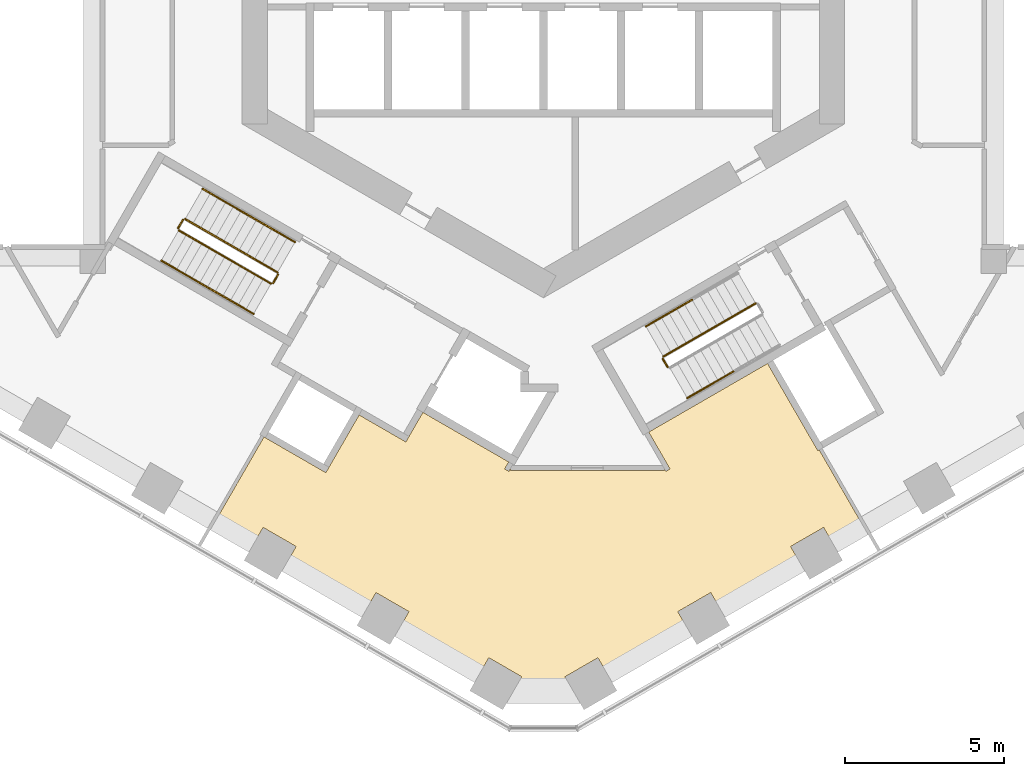
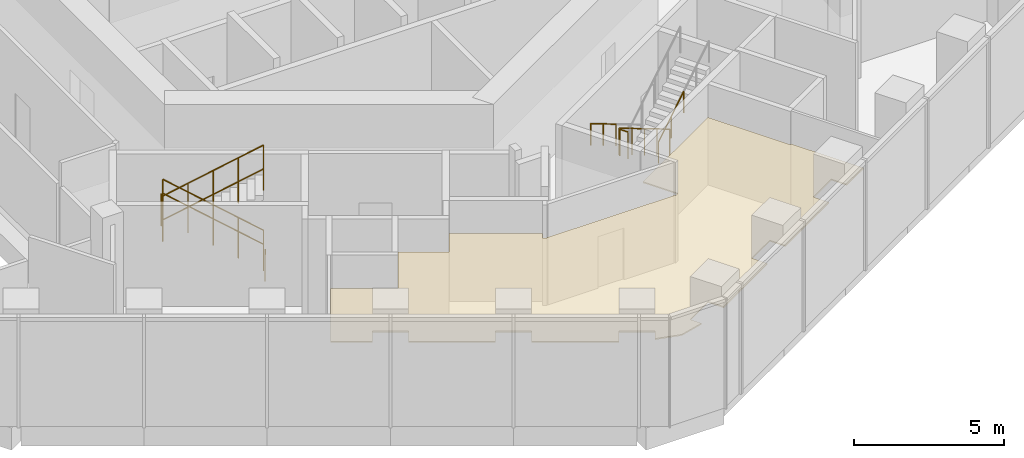
# One storey, part 13 of 14: 12 railings, 1 covering.
"""IFC4 building model written with IfcOpenShell, lengths in metres."""

import ifcopenshell
import ifcopenshell.guid

model = None  # the IFC model being written
_history = None  # IfcOwnerHistory: only IFC2X3 demands one
_inside = {}  # id of a spatial element -> (the spatial element, [elements in it])
_under = {}  # id of a project, library or spatial element -> (it, [spatial elements below it])
_declared = {}  # id of a project -> (the project, [libraries it declares])
_typed = {}  # id of a type object -> (the type object, [elements of that type])
_made_of = {}  # id of a material, layer set ... -> (it, [elements and type objects made of it])


def new_model(schema):
    """Start an empty IFC model of exactly this schema.

    Asked for "IFC4X3", IfcOpenShell would pick the latest addendum, in which some entities
    have other attributes; the version numbers below select the first issue.
    IFC2X3 requires an IfcOwnerHistory on every rooted entity: one is made here for all.
    """
    global model, _history
    if schema == "IFC4X3":
        model = ifcopenshell.file(schema_version=(4, 3, 0, 0))
    else:
        model = ifcopenshell.file(schema=schema)
    _inside.clear()
    _under.clear()
    _declared.clear()
    _typed.clear()
    _made_of.clear()
    _history = None
    if model.schema == "IFC2X3":
        org = make("IfcOrganization", Name="unknown")
        user = make(
            "IfcPersonAndOrganization",
            ThePerson=make("IfcPerson", FamilyName="unknown"),
            TheOrganization=org,
        )
        app = make(
            "IfcApplication",
            ApplicationDeveloper=org,
            Version="unknown",
            ApplicationFullName="unknown",
            ApplicationIdentifier="unknown",
        )
        _history = make(
            "IfcOwnerHistory",
            OwningUser=user,
            OwningApplication=app,
            ChangeAction="ADDED",
            CreationDate=0,
        )
    return model


def make(cls, **values):
    """One entity of the class cls with the attributes given. An attribute that is None is left unset."""
    return model.create_entity(
        cls, **{name: value for name, value in values.items() if value is not None}
    )


def rooted(cls, **values):
    """An entity with a GlobalId (a new one), such as an element, a storey or a relation."""
    return make(cls, GlobalId=ifcopenshell.guid.new(), OwnerHistory=_history, **values)


def si_unit(unit_type, name, prefix=None):
    """IfcSIUnit, for example si_unit("LENGTHUNIT", "METRE", prefix="MILLI")."""
    return make("IfcSIUnit", UnitType=unit_type, Prefix=prefix, Name=name)


def assignment(units):
    """IfcUnitAssignment: the units of a project."""
    return None if units is None else make("IfcUnitAssignment", Units=units)


def point(xyz):
    """IfcCartesianPoint."""
    return None if xyz is None else make("IfcCartesianPoint", Coordinates=xyz)


def direction(xyz):
    """IfcDirection."""
    return None if xyz is None else make("IfcDirection", DirectionRatios=xyz)


def frame(location, z_axis=None, x_axis=None):
    """IfcAxis2Placement3D, a coordinate frame: its origin and axes. An axis left out is left unset."""
    return make(
        "IfcAxis2Placement3D",
        Location=point(location),
        Axis=direction(z_axis),
        RefDirection=direction(x_axis),
    )


def frame_2d(location, x_axis=None):
    """IfcAxis2Placement2D, a coordinate frame in the plane: its origin and x axis."""
    return make(
        "IfcAxis2Placement2D", Location=point(location), RefDirection=direction(x_axis)
    )


def origin():
    """The frame at (0, 0, 0) with its axes left unset."""
    return frame((0.0, 0.0, 0.0))


def origin_2d():
    """The frame at (0, 0) in the plane with its x axis left unset."""
    return frame_2d((0.0, 0.0))


def place(relative_to, where):
    """IfcLocalPlacement: puts the frame where relative to a parent placement (None: the world)."""
    return make(
        "IfcLocalPlacement", PlacementRelTo=relative_to, RelativePlacement=where
    )


def context(
    kind, dimensions, precision=None, world=None, true_north=None, identifier=None
):
    """IfcGeometricRepresentationContext, for example the 3D "Model" context."""
    return make(
        "IfcGeometricRepresentationContext",
        ContextIdentifier=identifier,
        ContextType=kind,
        CoordinateSpaceDimension=dimensions,
        Precision=precision,
        WorldCoordinateSystem=world,
        TrueNorth=true_north,
    )


def subcontext(parent, identifier, kind, view, scale=None):
    """IfcGeometricRepresentationSubContext, for example "Body" below "Model"."""
    return make(
        "IfcGeometricRepresentationSubContext",
        ContextIdentifier=identifier,
        ContextType=kind,
        ParentContext=parent,
        TargetScale=scale,
        TargetView=view,
    )


def project(units=None, contexts=None):
    """IfcProject with its units and contexts."""
    return rooted(
        "IfcProject",
        Name="project",
        RepresentationContexts=contexts,
        UnitsInContext=assignment(units),
    )


def spatial(cls, under=None, at=None, **own):
    """A site, building, storey or space (cls), placed at a placement, below another one or the project."""
    s = rooted(cls, ObjectPlacement=at, **own)
    if under is not None:
        _under.setdefault(under.id(), (under, []))[1].append(s)
    return s


def polyline(points):
    """IfcPolyline through the points."""
    return make("IfcPolyline", Points=[point(p) for p in points])


def profile(cls, at=None, kind="AREA", **sizes):
    """A parametric profile (cls). Its sizes go by their IFC names, for example OverallWidth=200.0."""
    return make(cls, ProfileType=kind, Position=at, **sizes)


def circle(**sizes):
    """IfcCircleProfileDef."""
    return profile("IfcCircleProfileDef", **sizes)


def outline(outer, holes=None, kind="AREA"):
    """IfcArbitraryClosedProfileDef: a profile drawn as a closed curve; with holes, ...WithVoids."""
    if holes is None:
        return make("IfcArbitraryClosedProfileDef", ProfileType=kind, OuterCurve=outer)
    return make(
        "IfcArbitraryProfileDefWithVoids",
        ProfileType=kind,
        OuterCurve=outer,
        InnerCurves=holes,
    )


def extrude(swept, where, along, depth):
    """IfcExtrudedAreaSolid: the profile swept, set in the frame where, extruded along a direction by depth."""
    return make(
        "IfcExtrudedAreaSolid",
        SweptArea=swept,
        Position=where,
        ExtrudedDirection=direction(along),
        Depth=depth,
    )


def shape(context_of_items, identifier, shape_type, items):
    """IfcShapeRepresentation: the items that make up one representation, for example the "Body"."""
    return make(
        "IfcShapeRepresentation",
        ContextOfItems=context_of_items,
        RepresentationIdentifier=identifier,
        RepresentationType=shape_type,
        Items=items,
    )


def material(Name=None, Category=None):
    """IfcMaterial."""
    return make("IfcMaterial", Name=Name, Category=Category)


def layer(
    of_material, thickness, ventilated=None, Name=None, Category=None, Priority=None
):
    """IfcMaterialLayer: one layer of a wall or slab, of a material (None: an air gap)."""
    return make(
        "IfcMaterialLayer",
        Material=of_material,
        LayerThickness=thickness,
        IsVentilated=ventilated,
        Name=Name,
        Category=Category,
        Priority=Priority,
    )


def layer_set(layers, Name=None):
    """IfcMaterialLayerSet."""
    return make("IfcMaterialLayerSet", MaterialLayers=layers, LayerSetName=Name)


def made_of(thing, what):
    """Note that an element or type object is made of a material, layer set ...; save() writes the relation."""
    if what is not None:
        _made_of.setdefault(what.id(), (what, []))[1].append(thing)
    return thing


def type_object(cls, material=None, **own):
    """A type object (cls), such as IfcWallType, which elements share."""
    return made_of(rooted(cls, **own), material)


def element(
    cls,
    number,
    at=None,
    inside=None,
    cuts=None,
    type_object=None,
    material=None,
    context=None,
    identifier="Body",
    shape_type=None,
    held_by="IfcProductDefinitionShape",
    body=None,
    shapes=None,
    **own,
):
    """One element of the class cls, such as IfcWall. Its Tag is "e" and its number.

    at: its placement. inside: the storey or other place that contains it. cuts: it is an
    opening in that element (IfcRelVoidsElement). A single representation is given by context,
    identifier, shape_type and body (its items); several are given by shapes. held_by: the class
    of the entity that holds the representations. save() writes the other relations.
    """
    e = rooted(cls, Tag="e%d" % number, ObjectPlacement=at, **own)
    if body is not None:
        shapes = [shape(context, identifier, shape_type, body)]
    if shapes is not None:
        e.Representation = make(held_by, Representations=shapes)
    if inside is not None:
        _inside.setdefault(inside.id(), (inside, []))[1].append(e)
    if cuts is not None:
        rooted(
            "IfcRelVoidsElement", RelatingBuildingElement=cuts, RelatedOpeningElement=e
        )
    if type_object is not None:
        _typed.setdefault(type_object.id(), (type_object, []))[1].append(e)
    return made_of(e, material)


def aggregate(whole, parts):
    """IfcRelAggregates: a whole, such as a stair, and the parts it consists of."""
    return rooted("IfcRelAggregates", RelatingObject=whole, RelatedObjects=parts)


def save(model, path):
    """Write the relations noted so far, then the file.

    IfcRelAggregates (storeys below a building ...), IfcRelContainedInSpatialStructure (elements
    in a storey), IfcRelDefinesByType, IfcRelAssociatesMaterial and IfcRelDeclares: one each for
    every whole, place, type object, material and project.
    """
    for whole, parts in _under.values():
        aggregate(whole, parts)
    for where, things in _inside.values():
        rooted(
            "IfcRelContainedInSpatialStructure",
            RelatedElements=things,
            RelatingStructure=where,
        )
    for kind, things in _typed.values():
        rooted("IfcRelDefinesByType", RelatedObjects=things, RelatingType=kind)
    for what, things in _made_of.values():
        rooted("IfcRelAssociatesMaterial", RelatedObjects=things, RelatingMaterial=what)
    for by, libraries in _declared.values():
        rooted("IfcRelDeclares", RelatingContext=by, RelatedDefinitions=libraries)
    model.write(path)


model = new_model("IFC4")

# Units and contexts
model_context = context("Model", 3, precision=1e-05, world=origin(), true_north=direction((0.0, 1.0)))
body_context = subcontext(model_context, "Body", "Model", "MODEL_VIEW")
ifc_project = project(units=[si_unit("LENGTHUNIT", "METRE"), si_unit("AREAUNIT", "SQUARE_METRE"), si_unit("VOLUMEUNIT", "CUBIC_METRE"), si_unit("PLANEANGLEUNIT", "RADIAN"), si_unit("MASSUNIT", "GRAM", prefix="KILO")], contexts=[model_context])

# Site, building, storey
site_placement = place(None, origin())
site = spatial("IfcSite", under=ifc_project, at=site_placement, CompositionType="ELEMENT")
building_placement = place(site_placement, origin())
building = spatial("IfcBuilding", under=site, at=building_placement, Name="Ayvan Gate Tower", CompositionType="ELEMENT")
storey_placement = place(building_placement, frame((0.0, 0.0, 11.5)))
storey = spatial("IfcBuildingStorey", under=building, at=storey_placement, Name="L02", CompositionType="ELEMENT", Elevation=11.5)

# Covering
ifc_material_1 = material(Name="Plasterboard suspended ceiling")
ifc_layer = layer(ifc_material_1, 0.050048828125)
ifc_layer_set = layer_set([ifc_layer], Name="Plasterboard suspended ceiling")
covering_type = type_object("IfcCoveringType", Name="CT-SUSP-50", PredefinedType="CEILING", material=ifc_layer_set)
covering_placement = place(storey_placement, frame((0.0, 0.0, 2.699951171875)))
element("IfcCovering", 1, at=covering_placement, inside=storey, type_object=covering_type, Name="Ceiling Gym L02", PredefinedType="CEILING", context=body_context, shape_type="SweptSolid", body=[
    extrude(outline(polyline([(-6.858154296875, -16.478515625), (-6.76806640625, -16.32275390625), (-5.80810546875, -14.659912109375), (-4.3359375, -15.510009765625), (-4.245849609375, -15.35400390625), (-4.235595703125, -15.33642578125), (-3.798583984375, -14.5791015625), (-3.775390625, -14.59228515625), (-1.092041015625, -16.1416015625), (-1.22021484375, -16.36328125), (-1.090087890625, -16.4384765625), (-1.042724609375, -16.35595703125), (-1.042724609375, -16.410888671875), (3.81396484375, -16.410888671875), (3.81396484375, -16.35595703125), (3.861572265625, -16.4384765625), (3.991455078125, -16.36328125), (3.320556640625, -15.201416015625), (3.346435546875, -15.186279296875), (7.066162109375, -13.038818359375), (8.653564453125, -15.78857421875), (8.697021484375, -15.763427734375), (10.089111328125, -18.175048828125), (9.133544921875, -18.726806640625), (8.83349609375, -18.207275390625), (7.794189453125, -18.80712890625), (8.09423828125, -19.326904296875), (6.238037109375, -20.3984375), (5.576416015625, -20.780517578125), (5.276611328125, -20.2607421875), (4.2373046875, -20.86083984375), (4.537353515625, -21.38037109375), (2.01953125, -22.833984375), (1.719482421875, -22.314453125), (0.680419921875, -22.914306640625), (0.89990234375, -23.294677734375), (0.0, -23.535888671875), (-0.89990234375, -23.294677734375), (-0.680419921875, -22.914306640625), (-1.719482421875, -22.314453125), (-2.01953125, -22.833984375), (-4.159423828125, -21.598388671875), (-4.537353515625, -21.38037109375), (-4.2373046875, -20.86083984375), (-5.276611328125, -20.2607421875), (-5.576416015625, -20.780517578125), (-8.09423828125, -19.326904296875), (-7.794189453125, -18.80712890625), (-8.83349609375, -18.207275390625), (-9.133544921875, -18.726806640625), (-10.34912109375, -18.02490234375), (-8.806640625, -15.353515625), (-8.763427734375, -15.378662109375), (-6.858154296875, -16.478515625)])), origin(), (0.0, 0.0, 1.0), 0.050048828125),
])

# Railings
ifc_material_2 = material(Name="Stainless steel balustrade", Category="steel")
railing_type_1 = type_object("IfcRailingType", Name="RL-GUARD-1100", PredefinedType="GUARDRAIL", material=ifc_material_2)
railing_1_placement = place(storey_placement, frame((-8.381103515625, -10.16650390625, 0.173095703125)))
element("IfcRailing", 2, at=railing_1_placement, inside=storey, type_object=railing_type_1, Name="L02 STS2 stair guard 1", PredefinedType="GUARDRAIL", context=body_context, shape_type="SweptSolid", body=[
    extrude(circle(Radius=0.02392578125, at=origin_2d()), frame((0.0, 0.0, 1.076171875), z_axis=(-0.736667954249, 0.425288379326, 0.525785240943), x_axis=(-0.499976138585, -0.866039179741, 0.0)), (0.0, 0.0, 1.0), 3.9501953125),
    extrude(circle(Radius=0.02099609375, at=origin_2d()), origin(), (0.0, 0.0, 1.0), 1.052001953125),
    extrude(circle(Radius=0.02099609375, at=origin_2d()), frame((-0.7275390625, 0.419921875, 0.519287109375)), (0.0, 0.0, 1.0), 1.052001953125),
    extrude(circle(Radius=0.02099609375, at=origin_2d()), frame((-1.455078125, 0.83984375, 1.03857421875)), (0.0, 0.0, 1.0), 1.052001953125),
    extrude(circle(Radius=0.02099609375, at=origin_2d()), frame((-2.182373046875, 1.260009765625, 1.5576171875)), (0.0, 0.0, 1.0), 1.052001953125),
    extrude(circle(Radius=0.02099609375, at=origin_2d()), frame((-2.909912109375, 1.679931640625, 2.076904296875)), (0.0, 0.0, 1.0), 1.052001953125),
])
railing_2_placement = place(storey_placement, frame((-11.359130859375, -8.5048828125, 2.25)))
element("IfcRailing", 3, at=railing_2_placement, inside=storey, type_object=railing_type_1, Name="L02 STS2 stair guard 2", PredefinedType="GUARDRAIL", context=body_context, shape_type="SweptSolid", body=[
    extrude(circle(Radius=0.02392578125, at=origin_2d()), frame((0.0, 0.0, 1.076171875), z_axis=(-0.500290723946, -0.86585748916, 0.0), x_axis=(0.86585748916, -0.500290723946, 0.0)), (0.0, 0.0, 1.0), 0.309814453125),
    extrude(circle(Radius=0.02099609375, at=origin_2d()), origin(), (0.0, 0.0, 1.0), 1.052001953125),
    extrude(circle(Radius=0.02099609375, at=origin_2d()), frame((-0.155029296875, -0.268310546875, 0.0)), (0.0, 0.0, 1.0), 1.052001953125),
])
railing_3_placement = place(storey_placement, frame((-11.495849609375, -8.841552734375, 2.423095703125)))
element("IfcRailing", 4, at=railing_3_placement, inside=storey, type_object=railing_type_1, Name="L02 STS2 stair guard 3", PredefinedType="GUARDRAIL", context=body_context, shape_type="SweptSolid", body=[
    extrude(circle(Radius=0.02392578125, at=origin_2d()), frame((0.0, 0.0, 1.076171875), z_axis=(0.736639687092, -0.425307743487, 0.525809180911), x_axis=(0.500007602105, 0.866021014662, 0.0)), (0.0, 0.0, 1.0), 3.949951171875),
    extrude(circle(Radius=0.02099609375, at=origin_2d()), origin(), (0.0, 0.0, 1.0), 1.052001953125),
    extrude(circle(Radius=0.02099609375, at=origin_2d()), frame((0.7275390625, -0.419921875, 0.519287109375)), (0.0, 0.0, 1.0), 1.052001953125),
    extrude(circle(Radius=0.02099609375, at=origin_2d()), frame((1.454833984375, -0.83984375, 1.03857421875)), (0.0, 0.0, 1.0), 1.052001953125),
    extrude(circle(Radius=0.02099609375, at=origin_2d()), frame((2.18212890625, -1.260009765625, 1.5576171875)), (0.0, 0.0, 1.0), 1.052001953125),
    extrude(circle(Radius=0.02099609375, at=origin_2d()), frame((2.90966796875, -1.679931640625, 2.076904296875)), (0.0, 0.0, 1.0), 1.052001953125),
])
railing_4_placement = place(storey_placement, frame((-8.36279296875, -10.23486328125, 0.0)))
element("IfcRailing", 5, at=railing_4_placement, inside=storey, type_object=railing_type_1, Name="L02 STS2 stair guard 4", PredefinedType="GUARDRAIL", context=body_context, shape_type="SweptSolid", body=[
    extrude(circle(Radius=0.02392578125, at=origin_2d()), frame((0.0, 0.0, 1.076171875), z_axis=(-0.500290723946, -0.86585748916, 0.0), x_axis=(0.86585748916, -0.500290723946, 0.0)), (0.0, 0.0, 1.0), 0.309814453125),
    extrude(circle(Radius=0.02099609375, at=origin_2d()), origin(), (0.0, 0.0, 1.0), 1.052001953125),
    extrude(circle(Radius=0.02099609375, at=origin_2d()), frame((-0.155029296875, -0.268310546875, 0.0)), (0.0, 0.0, 1.0), 1.052001953125),
])
railing_5_placement = place(storey_placement, frame((6.6923828125, -11.1416015625, 0.173095703125)))
element("IfcRailing", 6, at=railing_5_placement, inside=storey, type_object=railing_type_1, Name="L02 STS3 stair guard 1", PredefinedType="GUARDRAIL", context=body_context, shape_type="SweptSolid", body=[
    extrude(circle(Radius=0.02392578125, at=origin_2d()), frame((0.0, 0.0, 1.076171875), z_axis=(-0.736667954249, -0.425288379326, 0.525785240943), x_axis=(0.499976138585, -0.866039179741, 0.0)), (0.0, 0.0, 1.0), 3.9501953125),
    extrude(circle(Radius=0.02099609375, at=origin_2d()), origin(), (0.0, 0.0, 1.0), 1.052001953125),
    extrude(circle(Radius=0.02099609375, at=origin_2d()), frame((-0.7275390625, -0.419921875, 0.519287109375)), (0.0, 0.0, 1.0), 1.052001953125),
    extrude(circle(Radius=0.02099609375, at=origin_2d()), frame((-1.455078125, -0.83984375, 1.03857421875)), (0.0, 0.0, 1.0), 1.052001953125),
    extrude(circle(Radius=0.02099609375, at=origin_2d()), frame((-2.182373046875, -1.260009765625, 1.5576171875)), (0.0, 0.0, 1.0), 1.052001953125),
    extrude(circle(Radius=0.02099609375, at=origin_2d()), frame((-2.909912109375, -1.679931640625, 2.076904296875)), (0.0, 0.0, 1.0), 1.052001953125),
])
railing_6_placement = place(storey_placement, frame((3.76416015625, -12.889892578125, 2.25)))
element("IfcRailing", 7, at=railing_6_placement, inside=storey, type_object=railing_type_1, Name="L02 STS3 stair guard 2", PredefinedType="GUARDRAIL", context=body_context, shape_type="SweptSolid", body=[
    extrude(circle(Radius=0.02392578125, at=origin_2d()), frame((0.0, 0.0, 1.076171875), z_axis=(0.500290723946, -0.86585748916, 0.0), x_axis=(0.86585748916, 0.500290723946, 0.0)), (0.0, 0.0, 1.0), 0.309814453125),
    extrude(circle(Radius=0.02099609375, at=origin_2d()), origin(), (0.0, 0.0, 1.0), 1.052001953125),
    extrude(circle(Radius=0.02099609375, at=origin_2d()), frame((0.155029296875, -0.268310546875, 0.0)), (0.0, 0.0, 1.0), 1.052001953125),
])
railing_type_2 = type_object("IfcRailingType", Name="RL-HANDRAIL-900", PredefinedType="HANDRAIL", material=ifc_material_2)
railing_7_placement = place(storey_placement, frame((-7.8310546875, -9.2138671875, 0.173095703125)))
element("IfcRailing", 8, at=railing_7_placement, inside=storey, type_object=railing_type_2, Name="L02 STS2 stair handrail 1", PredefinedType="HANDRAIL", context=body_context, shape_type="SweptSolid", body=[
    extrude(circle(Radius=0.02392578125, at=origin_2d()), frame((0.0, 0.0, 0.8759765625), z_axis=(-0.736700790218, 0.425333459587, 0.525702761879), x_axis=(-0.499999171277, -0.866025882247, 0.0)), (0.0, 0.0, 1.0), 1.97509765625),
    extrude(circle(Radius=0.02099609375, at=origin_2d()), origin(), (0.0, 0.0, 1.0), 0.851806640625),
    extrude(circle(Radius=0.02099609375, at=origin_2d()), frame((-0.7275390625, 0.419921875, 0.51904296875)), (0.0, 0.0, 1.0), 0.851806640625),
    extrude(circle(Radius=0.02099609375, at=origin_2d()), frame((-1.455078125, 0.840087890625, 1.038330078125)), (0.0, 0.0, 1.0), 0.851806640625),
])
railing_8_placement = place(storey_placement, frame((-9.2861328125, -8.373779296875, 1.21142578125)))
element("IfcRailing", 9, at=railing_8_placement, inside=storey, type_object=railing_type_2, Name="L02 STS2 stair handrail 2", PredefinedType="HANDRAIL", context=body_context, shape_type="SweptSolid", body=[
    extrude(circle(Radius=0.02392578125, at=origin_2d()), frame((0.0, 0.0, 0.8759765625), z_axis=(-0.736635108394, 0.425243291303, 0.52586772128), x_axis=(-0.499953100966, -0.866052479261, 0.0)), (0.0, 0.0, 1.0), 1.974853515625),
    extrude(circle(Radius=0.02099609375, at=origin_2d()), origin(), (0.0, 0.0, 1.0), 0.851806640625),
    extrude(circle(Radius=0.02099609375, at=origin_2d()), frame((-0.7275390625, 0.419921875, 0.519287109375)), (0.0, 0.0, 1.0), 0.851806640625),
    extrude(circle(Radius=0.02099609375, at=origin_2d()), frame((-1.454833984375, 0.83984375, 1.03857421875)), (0.0, 0.0, 1.0), 0.851806640625),
])
railing_9_placement = place(storey_placement, frame((-12.0458984375, -9.794189453125, 2.423095703125)))
element("IfcRailing", 10, at=railing_9_placement, inside=storey, type_object=railing_type_2, Name="L02 STS2 stair handrail 3", PredefinedType="HANDRAIL", context=body_context, shape_type="SweptSolid", body=[
    extrude(circle(Radius=0.02392578125, at=origin_2d()), frame((0.0, 0.0, 0.8759765625), z_axis=(0.736644260248, -0.425372193239, 0.525750635817), x_axis=(0.500062097304, 0.865989548921, 0.0)), (0.0, 0.0, 1.0), 1.974853515625),
    extrude(circle(Radius=0.02099609375, at=origin_2d()), origin(), (0.0, 0.0, 1.0), 0.851806640625),
    extrude(circle(Radius=0.02099609375, at=origin_2d()), frame((0.7275390625, -0.419921875, 0.51904296875)), (0.0, 0.0, 1.0), 0.851806640625),
    extrude(circle(Radius=0.02099609375, at=origin_2d()), frame((1.454833984375, -0.840087890625, 1.038330078125)), (0.0, 0.0, 1.0), 0.851806640625),
])
railing_10_placement = place(storey_placement, frame((-10.591064453125, -10.63427734375, 3.46142578125)))
element("IfcRailing", 11, at=railing_10_placement, inside=storey, type_object=railing_type_2, Name="L02 STS2 stair handrail 4", PredefinedType="HANDRAIL", context=body_context, shape_type="SweptSolid", body=[
    extrude(circle(Radius=0.02392578125, at=origin_2d()), frame((0.0, 0.0, 0.8759765625), z_axis=(0.736691639328, -0.42520457035, 0.525819837869), x_axis=(0.499890179513, 0.866088799389, 0.0)), (0.0, 0.0, 1.0), 1.97509765625),
    extrude(circle(Radius=0.02099609375, at=origin_2d()), origin(), (0.0, 0.0, 1.0), 0.851806640625),
    extrude(circle(Radius=0.02099609375, at=origin_2d()), frame((0.7275390625, -0.419921875, 0.519287109375)), (0.0, 0.0, 1.0), 0.851806640625),
    extrude(circle(Radius=0.02099609375, at=origin_2d()), frame((1.455078125, -0.83984375, 1.03857421875)), (0.0, 0.0, 1.0), 0.851806640625),
])
railing_11_placement = place(storey_placement, frame((4.6875, -11.02880859375, 1.21142578125)))
element("IfcRailing", 12, at=railing_11_placement, inside=storey, type_object=railing_type_2, Name="L02 STS3 stair handrail 2", PredefinedType="HANDRAIL", context=body_context, shape_type="SweptSolid", body=[
    extrude(circle(Radius=0.02392578125, at=origin_2d()), frame((0.0, 0.0, 0.8759765625), z_axis=(-0.736652917841, -0.425305820519, 0.525792200083), x_axis=(0.499999171277, -0.866025882247, 0.0)), (0.0, 0.0, 1.0), 1.975341796875),
    extrude(circle(Radius=0.02099609375, at=origin_2d()), origin(), (0.0, 0.0, 1.0), 0.851806640625),
    extrude(circle(Radius=0.02099609375, at=origin_2d()), frame((-0.7275390625, -0.419921875, 0.519287109375)), (0.0, 0.0, 1.0), 0.851806640625),
    extrude(circle(Radius=0.02099609375, at=origin_2d()), frame((-1.455078125, -0.840087890625, 1.03857421875)), (0.0, 0.0, 1.0), 0.851806640625),
])
railing_12_placement = place(storey_placement, frame((4.53759765625, -14.129150390625, 2.423095703125)))
element("IfcRailing", 13, at=railing_12_placement, inside=storey, type_object=railing_type_2, Name="L02 STS3 stair handrail 3", PredefinedType="HANDRAIL", context=body_context, shape_type="SweptSolid", body=[
    extrude(circle(Radius=0.02392578125, at=origin_2d()), frame((0.0, 0.0, 0.8759765625), z_axis=(0.736682993367, 0.425270934248, 0.525778280045), x_axis=(-0.499953100966, 0.866052479261, 0.0)), (0.0, 0.0, 1.0), 1.974853515625),
    extrude(circle(Radius=0.02099609375, at=origin_2d()), origin(), (0.0, 0.0, 1.0), 0.851806640625),
    extrude(circle(Radius=0.02099609375, at=origin_2d()), frame((0.7275390625, 0.419921875, 0.51904296875)), (0.0, 0.0, 1.0), 0.851806640625),
    extrude(circle(Radius=0.02099609375, at=origin_2d()), frame((1.454833984375, 0.83984375, 1.038330078125)), (0.0, 0.0, 1.0), 0.851806640625),
])

save(model, "model.ifc")
